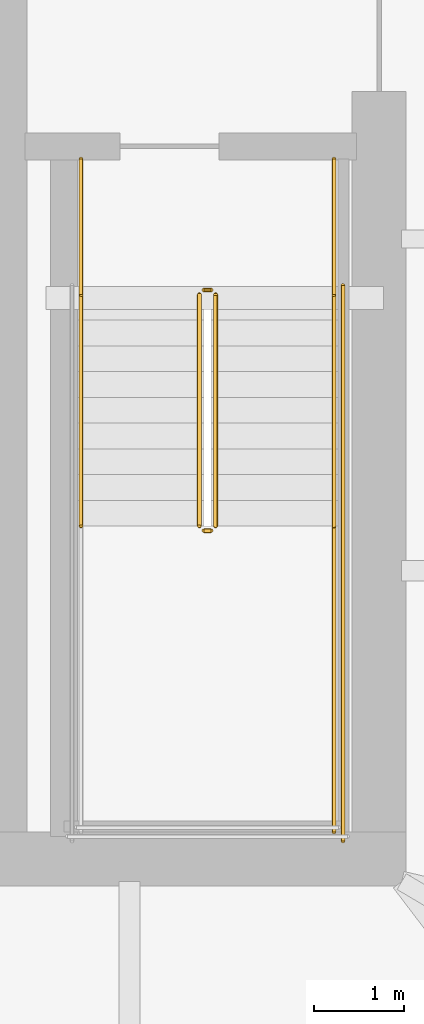
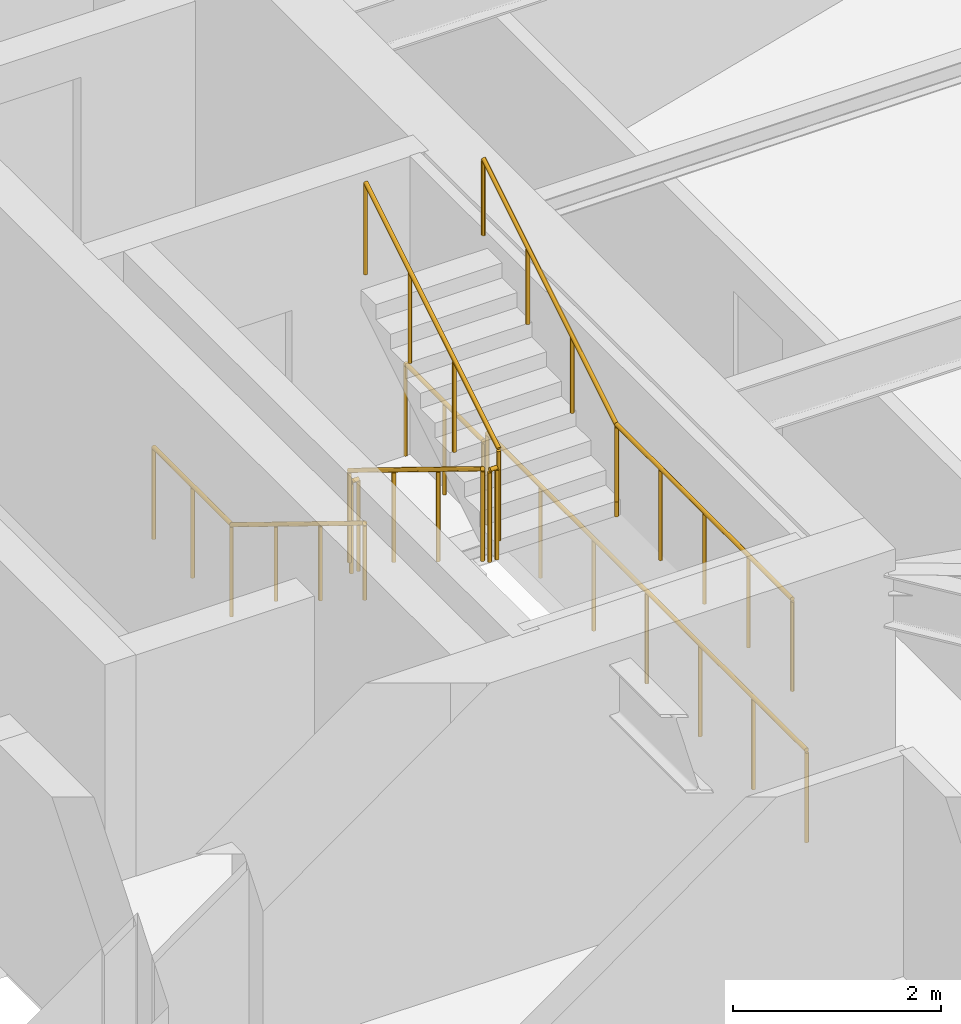
# One storey, part 29 of 30: 10 railings.
"""IFC4 building model written with IfcOpenShell, lengths in metres."""

from ifc_helpers import new_model, si_unit, direction, frame, origin, origin_2d, place, context, subcontext, project, spatial, circle, extrude, material, type_object, element, save


model = new_model("IFC4")

# Units and contexts
model_context = context("Model", 3, precision=1e-05, world=origin(), true_north=direction((0.0, 1.0)))
body_context = subcontext(model_context, "Body", "Model", "MODEL_VIEW")
ifc_project = project(units=[si_unit("LENGTHUNIT", "METRE"), si_unit("AREAUNIT", "SQUARE_METRE"), si_unit("VOLUMEUNIT", "CUBIC_METRE"), si_unit("PLANEANGLEUNIT", "RADIAN"), si_unit("MASSUNIT", "GRAM", prefix="KILO")], contexts=[model_context])

# Site, building, storey
site_placement = place(None, origin())
site = spatial("IfcSite", under=ifc_project, at=site_placement, CompositionType="ELEMENT")
building_placement = place(site_placement, origin())
building = spatial("IfcBuilding", under=site, at=building_placement, Name="Bramvorn Convention Spire", CompositionType="ELEMENT")
storey_placement = place(building_placement, frame((0.0, 0.0, 90.39990234375)))
storey = spatial("IfcBuildingStorey", under=building, at=storey_placement, Name="L21", CompositionType="ELEMENT", Elevation=90.39990234375)

# Railings
ifc_material_1 = material(Name="Painted Steel Balustrade & Guardrail", Category="steel")
railing_type_1 = type_object("IfcRailingType", Name="RL-STAIR-GUARD-1100", PredefinedType="GUARDRAIL", material=ifc_material_1)
railing_1_placement = place(storey_placement, frame((47.010009765625, 25.050048828125, 0.175048828125)))
element("IfcRailing", 1, at=railing_1_placement, inside=storey, type_object=railing_type_1, Name="L21 ST2 stair guard 1", PredefinedType="GUARDRAIL", context=body_context, shape_type="SweptSolid", body=[
    extrude(circle(Radius=0.02392578125, at=origin_2d()), frame((0.0, 0.0, 1.076171875), z_axis=(0.0, -0.852173129349, 0.523259933127), x_axis=(1.0, 0.0, 0.0)), (0.0, 0.0, 1.0), 3.009765625),
    extrude(circle(Radius=0.02099609375, at=origin_2d()), origin(), (0.0, 0.0, 1.0), 1.052001953125),
    extrude(circle(Radius=0.02099609375, at=origin_2d()), frame((0.0, -0.85498046875, 0.52490234375)), (0.0, 0.0, 1.0), 1.052001953125),
    extrude(circle(Radius=0.02099609375, at=origin_2d()), frame((0.0, -1.7099609375, 1.050048828125)), (0.0, 0.0, 1.0), 1.052001953125),
    extrude(circle(Radius=0.02099609375, at=origin_2d()), frame((0.0, -2.56494140625, 1.574951171875)), (0.0, 0.0, 1.0), 1.052001953125),
])
railing_2_placement = place(storey_placement, frame((47.06005859375, 22.43505859375, 1.75)))
element("IfcRailing", 2, at=railing_2_placement, inside=storey, type_object=railing_type_1, Name="L21 ST2 stair guard 2", PredefinedType="GUARDRAIL", context=body_context, shape_type="SweptSolid", body=[
    extrude(circle(Radius=0.02392578125, at=origin_2d()), frame((0.0, 0.0, 1.076171875), z_axis=(1.0, 0.0, 0.0), x_axis=(0.0, 1.0, 0.0)), (0.0, 0.0, 1.0), 0.079833984375),
    extrude(circle(Radius=0.02099609375, at=origin_2d()), origin(), (0.0, 0.0, 1.0), 1.052001953125),
    extrude(circle(Radius=0.02099609375, at=origin_2d()), frame((0.079833984375, 0.0, 0.0)), (0.0, 0.0, 1.0), 1.052001953125),
])
railing_3_placement = place(storey_placement, frame((48.5, 22.485107421875, 1.75)))
element("IfcRailing", 3, at=railing_3_placement, inside=storey, type_object=railing_type_1, Name="L21 ST2 stair guard 4", PredefinedType="GUARDRAIL", context=body_context, shape_type="SweptSolid", body=[
    extrude(circle(Radius=0.02392578125, at=origin_2d()), frame((0.0, 0.0, 1.076171875), z_axis=(0.0, -1.0, 0.0), x_axis=(1.0, 0.0, 0.0)), (0.0, 0.0, 1.0), 3.385009765625),
    extrude(circle(Radius=0.02099609375, at=origin_2d()), origin(), (0.0, 0.0, 1.0), 1.052001953125),
    extrude(circle(Radius=0.02099609375, at=origin_2d()), frame((0.0, -0.84619140625, 0.0)), (0.0, 0.0, 1.0), 1.052001953125),
    extrude(circle(Radius=0.02099609375, at=origin_2d()), frame((0.0, -1.6923828125, 0.0)), (0.0, 0.0, 1.0), 1.052001953125),
    extrude(circle(Radius=0.02099609375, at=origin_2d()), frame((0.0, -2.538818359375, 0.0)), (0.0, 0.0, 1.0), 1.052001953125),
    extrude(circle(Radius=0.02099609375, at=origin_2d()), frame((0.0, -3.385009765625, 0.0)), (0.0, 0.0, 1.0), 1.052001953125),
])
railing_4_placement = place(storey_placement, frame((47.18994140625, 22.485107421875, 1.925048828125)))
element("IfcRailing", 4, at=railing_4_placement, inside=storey, type_object=railing_type_1, Name="L21 ST2 stair guard 6", PredefinedType="GUARDRAIL", context=body_context, shape_type="SweptSolid", body=[
    extrude(circle(Radius=0.02392578125, at=origin_2d()), frame((0.0, 0.0, 1.076171875), z_axis=(0.0, 0.852173129349, 0.523259933127), x_axis=(-1.0, 0.0, 0.0)), (0.0, 0.0, 1.0), 3.009765625),
    extrude(circle(Radius=0.02099609375, at=origin_2d()), origin(), (0.0, 0.0, 1.0), 1.052001953125),
    extrude(circle(Radius=0.02099609375, at=origin_2d()), frame((0.0, 0.85498046875, 0.52490234375)), (0.0, 0.0, 1.0), 1.052001953125),
    extrude(circle(Radius=0.02099609375, at=origin_2d()), frame((0.0, 1.7099609375, 1.050048828125)), (0.0, 0.0, 1.0), 1.052001953125),
    extrude(circle(Radius=0.02099609375, at=origin_2d()), frame((0.0, 2.56494140625, 1.574951171875)), (0.0, 0.0, 1.0), 1.052001953125),
])
railing_5_placement = place(storey_placement, frame((47.06005859375, 25.10009765625, 0.0)))
element("IfcRailing", 5, at=railing_5_placement, inside=storey, type_object=railing_type_1, Name="L21 ST2 stair guard 7", PredefinedType="GUARDRAIL", context=body_context, shape_type="SweptSolid", body=[
    extrude(circle(Radius=0.02392578125, at=origin_2d()), frame((0.0, 0.0, 1.076171875), z_axis=(1.0, 0.0, 0.0), x_axis=(0.0, 1.0, 0.0)), (0.0, 0.0, 1.0), 0.079833984375),
    extrude(circle(Radius=0.02099609375, at=origin_2d()), origin(), (0.0, 0.0, 1.0), 1.052001953125),
    extrude(circle(Radius=0.02099609375, at=origin_2d()), frame((0.079833984375, 0.0, 0.0)), (0.0, 0.0, 1.0), 1.052001953125),
])
for number, where, name in (
    (6, (45.699951171875, 26.550048828125, 0.0), "L21 ST2 stair guard 8"),
    (7, (48.5, 26.550048828125, 0.0), "L21 ST2 stair guard 9"),
):
    element("IfcRailing", number, at=place(storey_placement, frame(where)), inside=storey, type_object=railing_type_1, Name=name, PredefinedType="GUARDRAIL", context=body_context, shape_type="SweptSolid", body=[
        extrude(circle(Radius=0.02392578125, at=origin_2d()), frame((0.0, 0.0, 1.076171875), z_axis=(0.0, -1.0, 0.0), x_axis=(1.0, 0.0, 0.0)), (0.0, 0.0, 1.0), 1.5),
        extrude(circle(Radius=0.02099609375, at=origin_2d()), origin(), (0.0, 0.0, 1.0), 1.052001953125),
        extrude(circle(Radius=0.02099609375, at=origin_2d()), frame((0.0, -0.75, 0.0)), (0.0, 0.0, 1.0), 1.052001953125),
        extrude(circle(Radius=0.02099609375, at=origin_2d()), frame((0.0, -1.5, 0.0)), (0.0, 0.0, 1.0), 1.052001953125),
    ])
railing_6_placement = place(storey_placement, frame((48.60009765625, 25.14990234375, 0.0)))
element("IfcRailing", 8, at=railing_6_placement, inside=storey, type_object=railing_type_1, Name="L21 ST2 stair guard 11", PredefinedType="GUARDRAIL", context=body_context, shape_type="SweptSolid", body=[
    extrude(circle(Radius=0.02392578125, at=origin_2d()), frame((0.0, 0.0, 1.076171875), z_axis=(0.0, -1.0, 0.0), x_axis=(1.0, 0.0, 0.0)), (0.0, 0.0, 1.0), 6.14990234375),
    extrude(circle(Radius=0.02099609375, at=origin_2d()), origin(), (0.0, 0.0, 1.0), 1.052001953125),
    extrude(circle(Radius=0.02099609375, at=origin_2d()), frame((0.0, -1.02490234375, 0.0)), (0.0, 0.0, 1.0), 1.052001953125),
    extrude(circle(Radius=0.02099609375, at=origin_2d()), frame((0.0, -2.050048828125, 0.0)), (0.0, 0.0, 1.0), 1.052001953125),
    extrude(circle(Radius=0.02099609375, at=origin_2d()), frame((0.0, -3.074951171875, 0.0)), (0.0, 0.0, 1.0), 1.052001953125),
    extrude(circle(Radius=0.02099609375, at=origin_2d()), frame((0.0, -4.099853515625, 0.0)), (0.0, 0.0, 1.0), 1.052001953125),
    extrude(circle(Radius=0.02099609375, at=origin_2d()), frame((0.0, -5.125, 0.0)), (0.0, 0.0, 1.0), 1.052001953125),
    extrude(circle(Radius=0.02099609375, at=origin_2d()), frame((0.0, -6.14990234375, 0.0)), (0.0, 0.0, 1.0), 1.052001953125),
])
ifc_material_2 = material(Name="Brushed Bronze Tubular Handrail", Category="aluminium")
railing_type_2 = type_object("IfcRailingType", Name="RL-STAIR-HR-920", PredefinedType="HANDRAIL", material=ifc_material_2)
railing_7_placement = place(storey_placement, frame((45.699951171875, 25.050048828125, 0.175048828125)))
element("IfcRailing", 9, at=railing_7_placement, inside=storey, type_object=railing_type_2, Name="L21 ST2 stair handrail 1", PredefinedType="HANDRAIL", context=body_context, shape_type="SweptSolid", body=[
    extrude(circle(Radius=0.02392578125, at=origin_2d()), frame((0.0, 0.0, 0.89599609375), z_axis=(0.0, -0.852173129349, 0.523259933127), x_axis=(1.0, 0.0, 0.0)), (0.0, 0.0, 1.0), 3.009765625),
    extrude(circle(Radius=0.02099609375, at=origin_2d()), origin(), (0.0, 0.0, 1.0), 0.871826171875),
    extrude(circle(Radius=0.02099609375, at=origin_2d()), frame((0.0, -0.85498046875, 0.52490234375)), (0.0, 0.0, 1.0), 0.871826171875),
    extrude(circle(Radius=0.02099609375, at=origin_2d()), frame((0.0, -1.7099609375, 1.050048828125)), (0.0, 0.0, 1.0), 0.871826171875),
    extrude(circle(Radius=0.02099609375, at=origin_2d()), frame((0.0, -2.56494140625, 1.574951171875)), (0.0, 0.0, 1.0), 0.871826171875),
])
railing_8_placement = place(storey_placement, frame((48.5, 22.485107421875, 1.925048828125)))
element("IfcRailing", 10, at=railing_8_placement, inside=storey, type_object=railing_type_2, Name="L21 ST2 stair handrail 2", PredefinedType="HANDRAIL", context=body_context, shape_type="SweptSolid", body=[
    extrude(circle(Radius=0.02392578125, at=origin_2d()), frame((0.0, 0.0, 0.89599609375), z_axis=(0.0, 0.852173129349, 0.523259933127), x_axis=(-1.0, 0.0, 0.0)), (0.0, 0.0, 1.0), 3.009765625),
    extrude(circle(Radius=0.02099609375, at=origin_2d()), origin(), (0.0, 0.0, 1.0), 0.871826171875),
    extrude(circle(Radius=0.02099609375, at=origin_2d()), frame((0.0, 0.85498046875, 0.52490234375)), (0.0, 0.0, 1.0), 0.871826171875),
    extrude(circle(Radius=0.02099609375, at=origin_2d()), frame((0.0, 1.7099609375, 1.050048828125)), (0.0, 0.0, 1.0), 0.871826171875),
    extrude(circle(Radius=0.02099609375, at=origin_2d()), frame((0.0, 2.56494140625, 1.574951171875)), (0.0, 0.0, 1.0), 0.871826171875),
])

save(model, "model.ifc")
